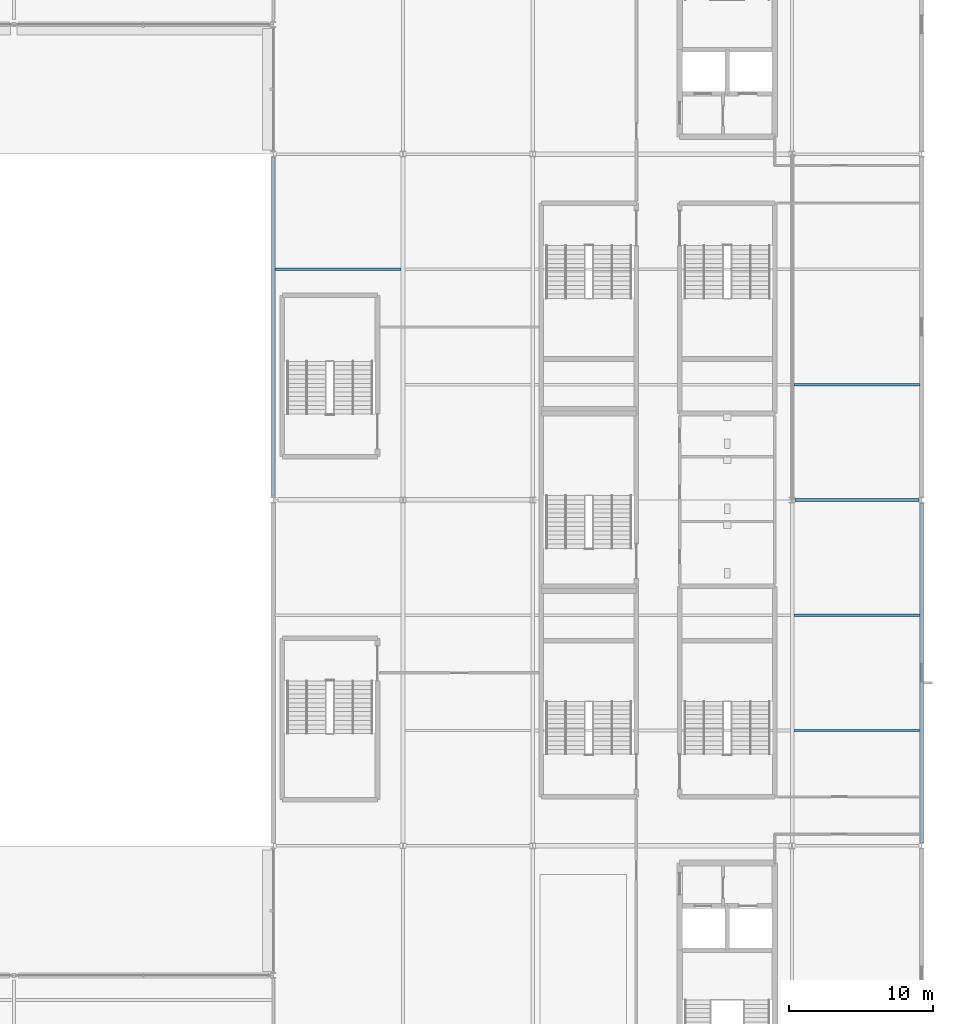
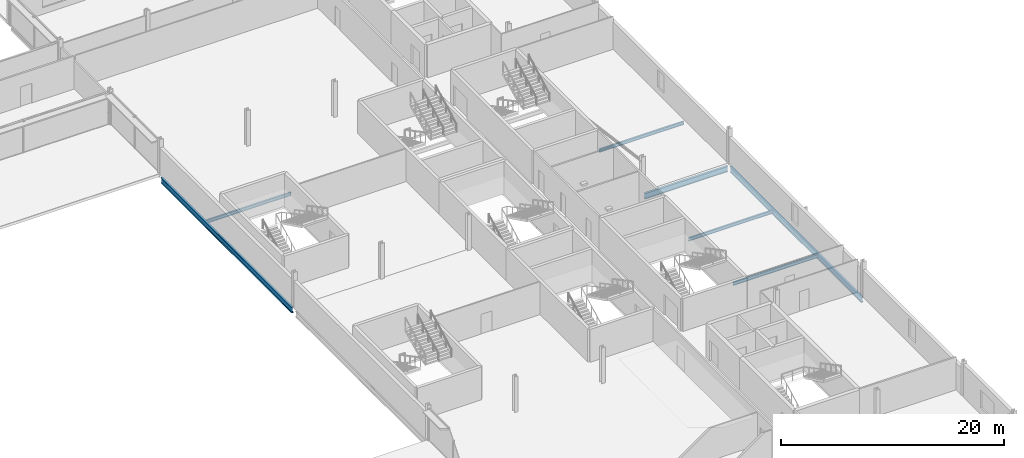
# One storey, part 49 of 105: 7 beams.
"""IFC4 building model written with IfcOpenShell, lengths in metres."""

from ifc_helpers import new_model, si_unit, direction, frame, origin, origin_2d, place, context, subcontext, project, spatial, i_section, extrude, material, material_profile, profile_set, type_object, element, save


model = new_model("IFC4")

# Units and contexts
model_context = context("Model", 3, precision=1e-05, world=origin(), true_north=direction((0.0, 1.0)))
body_context = subcontext(model_context, "Body", "Model", "MODEL_VIEW")
ifc_project = project(units=[si_unit("LENGTHUNIT", "METRE"), si_unit("AREAUNIT", "SQUARE_METRE"), si_unit("VOLUMEUNIT", "CUBIC_METRE"), si_unit("PLANEANGLEUNIT", "RADIAN"), si_unit("MASSUNIT", "GRAM", prefix="KILO")], contexts=[model_context])

# Site, building, storey
site_placement = place(None, origin())
site = spatial("IfcSite", under=ifc_project, at=site_placement, CompositionType="ELEMENT")
building_placement = place(site_placement, origin())
building = spatial("IfcBuilding", under=site, at=building_placement, Name="Kisiwana Market Hall", CompositionType="ELEMENT")
storey_placement = place(building_placement, frame((0.0, 0.0, 21.60009765625)))
storey = spatial("IfcBuildingStorey", under=building, at=storey_placement, Name="L04", CompositionType="ELEMENT", Elevation=21.60009765625)

# Beams
ifc_material_1 = material(Name="Steel S355", Category="steel")
ifc_material_profile_1 = material_profile(ifc_material_1, i_section(OverallWidth=0.22900390625, OverallDepth=0.6123046875, WebThickness=0.011962890625, FlangeThickness=0.01953125, at=origin_2d()), Name="UB 610x229x125")
ifc_profile_set_1 = profile_set([ifc_material_profile_1], Name="Steel S355")
beam_type_1 = type_object("IfcBeamType", Name="BM-GIRD-UB610H", PredefinedType="BEAM", material=ifc_profile_set_1)
beam_1_placement = place(storey_placement, frame((153.0, 60.321044921875, -0.55126953125), z_axis=(0.0, 1.0, 0.0), x_axis=(-1.0, 0.0, 0.0)))
element("IfcBeam", 1, at=beam_1_placement, inside=storey, type_object=beam_type_1, Name="Floor beam B-1506", PredefinedType="BEAM", context=body_context, shape_type="SweptSolid", body=[
    extrude(i_section(OverallWidth=0.22900390625, OverallDepth=0.6123046875, WebThickness=0.011962890625, FlangeThickness=0.01953125, at=origin_2d()), origin(), (0.0, 0.0, 1.0), 23.465576171875),
])
beam_2_placement = place(storey_placement, frame((198.0, 36.2041015625, -0.55126953125), z_axis=(0.0, 1.0, 0.0), x_axis=(-1.0, 0.0, 0.0)))
element("IfcBeam", 2, at=beam_2_placement, inside=storey, type_object=beam_type_1, Name="Floor beam B-1513", PredefinedType="BEAM", context=body_context, shape_type="SweptSolid", body=[
    extrude(i_section(OverallWidth=0.22900390625, OverallDepth=0.6123046875, WebThickness=0.011962890625, FlangeThickness=0.01953125, at=origin_2d()), origin(), (0.0, 0.0, 1.0), 23.591796875),
])
beam_3_placement = place(storey_placement, frame((189.198974609375, 60.0, -0.55126953125), z_axis=(1.0, 0.0, 0.0), x_axis=(0.0, 1.0, 0.0)))
element("IfcBeam", 3, at=beam_3_placement, inside=storey, type_object=beam_type_1, Name="Primary girder B-1340", PredefinedType="BEAM", context=body_context, shape_type="SweptSolid", body=[
    extrude(i_section(OverallWidth=0.22900390625, OverallDepth=0.6123046875, WebThickness=0.011962890625, FlangeThickness=0.01953125, at=origin_2d()), origin(), (0.0, 0.0, 1.0), 8.60205078125),
])
ifc_material_2 = material(Name="Steel S355", Category="steel")
ifc_material_profile_2 = material_profile(ifc_material_2, i_section(OverallWidth=0.17138671875, OverallDepth=0.35498046875, WebThickness=0.00732421875, FlangeThickness=0.011474609375, at=origin_2d()), Name="UB 356x171x51")
ifc_profile_set_2 = profile_set([ifc_material_profile_2], Name="Steel S355")
beam_type_2 = type_object("IfcBeamType", Name="BM-JOIST-UB356", PredefinedType="JOIST", material=ifc_profile_set_2)
for number, where, z_axis, x_axis, name in (
    (4, (189.125732421875, 44.0, -0.422607421875), (1.0, 0.0, 0.0), (0.0, 1.0, 0.0), "Secondary floor joist B-1392"),
    (5, (189.125732421875, 52.0, -0.422607421875), (1.0, 0.0, 0.0), (0.0, 1.0, 0.0), "Secondary floor joist B-1400"),
    (6, (189.125732421875, 68.0, -0.422607421875), (1.0, 0.0, 0.0), (0.0, 1.0, 0.0), "Secondary floor joist B-1406"),
    (7, (153.113525390625, 76.0, -0.422607421875), (1.0, 0.0, 0.0), (0.0, 1.0, 0.0), "Secondary floor joist B-1411"),
):
    element("IfcBeam", number, at=place(storey_placement, frame(where, z_axis=z_axis, x_axis=x_axis)), inside=storey, type_object=beam_type_2, Name=name, PredefinedType="JOIST", context=body_context, shape_type="SweptSolid", body=[
        extrude(i_section(OverallWidth=0.17138671875, OverallDepth=0.35498046875, WebThickness=0.00732421875, FlangeThickness=0.011474609375, at=origin_2d()), origin(), (0.0, 0.0, 1.0), 8.7607421875),
    ])

save(model, "model.ifc")
